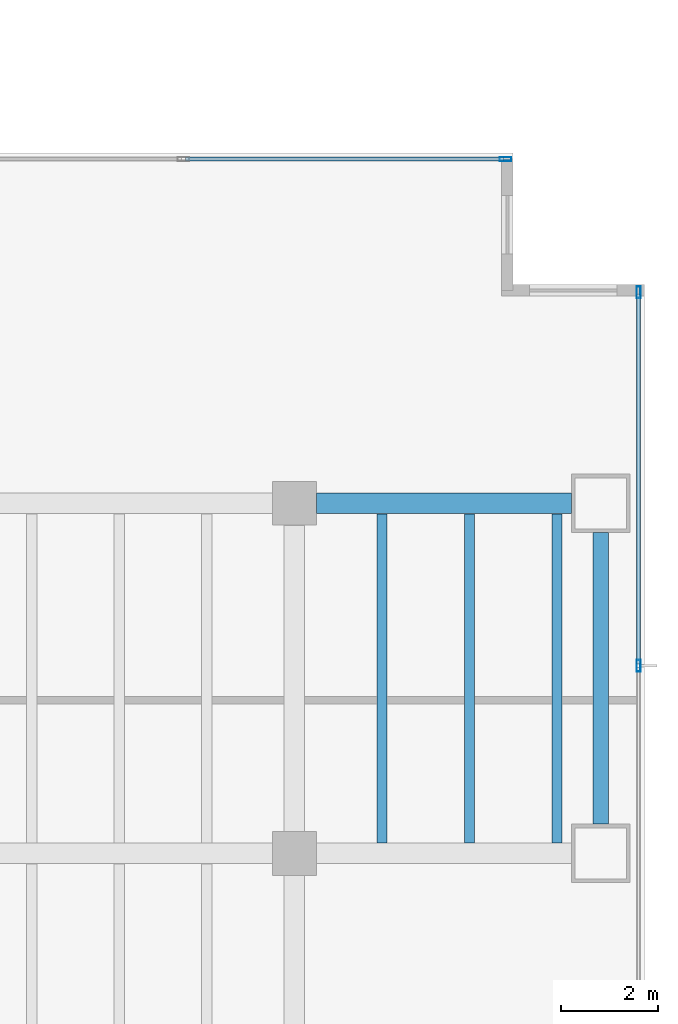
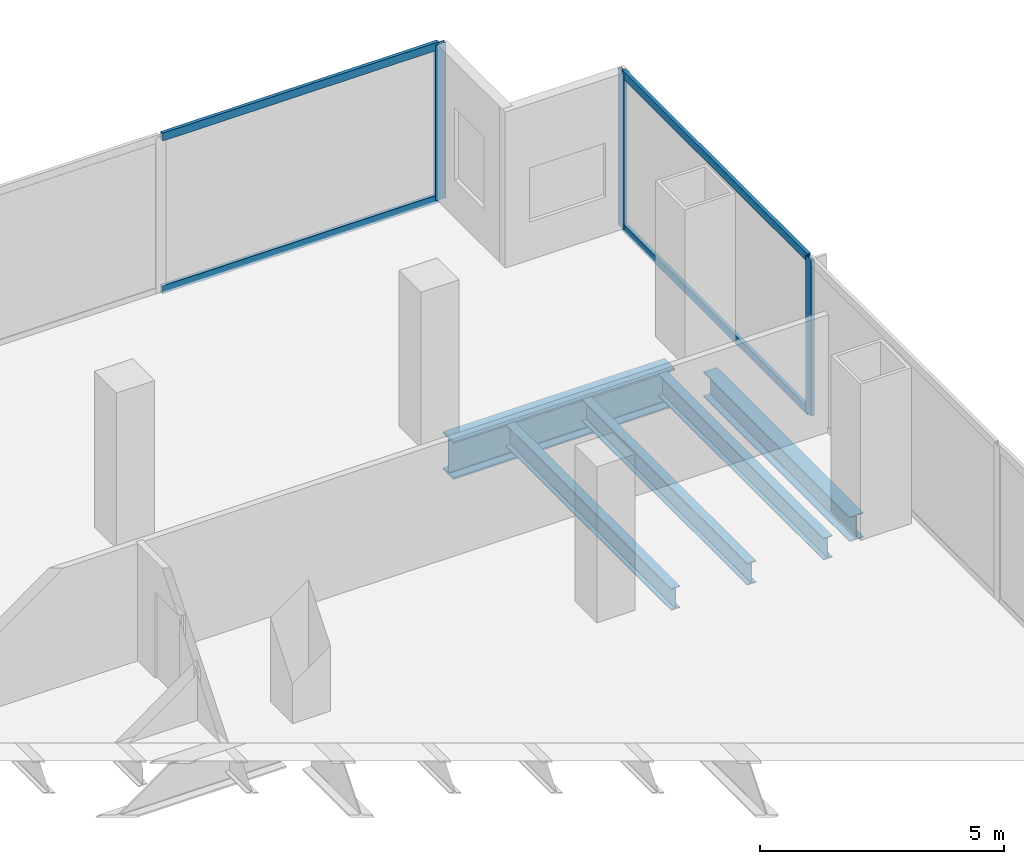
# One storey, part 20 of 31: 7 members, 5 beams, 2 elements without a shape of their own.
"""IFC4 building model written with IfcOpenShell, lengths in metres."""

from ifc_helpers import new_model, si_unit, direction, frame, origin, origin_2d, place, context, subcontext, project, spatial, hollow_rectangle, i_section, extrude, material, material_profile, profile_set, type_object, element, aggregate, save


model = new_model("IFC4")

# Units and contexts
model_context = context("Model", 3, precision=1e-05, world=origin(), true_north=direction((0.0, 1.0)))
body_context = subcontext(model_context, "Body", "Model", "MODEL_VIEW")
ifc_project = project(units=[si_unit("LENGTHUNIT", "METRE"), si_unit("AREAUNIT", "SQUARE_METRE"), si_unit("VOLUMEUNIT", "CUBIC_METRE"), si_unit("PLANEANGLEUNIT", "RADIAN"), si_unit("MASSUNIT", "GRAM", prefix="KILO")], contexts=[model_context])

# Site, building, storey
site_placement = place(None, origin())
site = spatial("IfcSite", under=ifc_project, at=site_placement, CompositionType="ELEMENT")
building_placement = place(site_placement, origin())
building = spatial("IfcBuilding", under=site, at=building_placement, Name="Cobrela Telecom Tower", CompositionType="ELEMENT")
storey_placement = place(building_placement, frame((0.0, 0.0, 9.449951171875)))
storey = spatial("IfcBuildingStorey", under=building, at=storey_placement, Name="L02", CompositionType="ELEMENT", Elevation=9.449951171875)

# Beams
ifc_material_1 = material(Name="Steel ASTM A992 Grade 50", Category="steel")
ifc_material_profile_1 = material_profile(ifc_material_1, i_section(OverallWidth=0.424072265625, OverallDepth=0.947021484375, WebThickness=0.02392578125, FlangeThickness=0.042724609375, FilletRadius=0.02392578125, at=origin_2d()), Name="W36X302")
ifc_profile_set_1 = profile_set([ifc_material_profile_1], Name="Steel ASTM A992 Grade 50")
beam_type_1 = type_object("IfcBeamType", Name="BM-GIRD-01", PredefinedType="USERDEFINED", material=ifc_profile_set_1)
beam_1_placement = place(storey_placement, frame((79.655029296875, 21.60009765625, -0.7734375), z_axis=(1.0, 0.0, 0.0), x_axis=(0.0, 1.0, 0.0)))
element("IfcBeam", 1, at=beam_1_placement, inside=storey, type_object=beam_type_1, Name="L02 Primary Girder X37", ObjectType="GIRDER", PredefinedType="USERDEFINED", context=body_context, shape_type="SweptSolid", body=[
    extrude(i_section(OverallWidth=0.424072265625, OverallDepth=0.947021484375, WebThickness=0.02392578125, FlangeThickness=0.042724609375, FilletRadius=0.02392578125, at=origin_2d()), origin(), (0.0, 0.0, 1.0), 5.239990234375),
])
ifc_material_profile_2 = material_profile(ifc_material_1, i_section(OverallWidth=0.212890625, OverallDepth=0.549072265625, WebThickness=0.0146484375, FlangeThickness=0.023681640625, FilletRadius=0.013916015625, at=origin_2d()), Name="W21X93")
ifc_profile_set_2 = profile_set([ifc_material_profile_2], Name="Steel ASTM A992 Grade 50")
beam_type_2 = type_object("IfcBeamType", Name="BM-JOIST-01", PredefinedType="JOIST", material=ifc_profile_set_2)
for number, where, z_axis, x_axis, name in (
    (2, (81.0, 14.616943359375, -0.574462890625), (0.0, 1.0, 0.0), (-1.0, 0.0, 0.0), "L02 Secondary Composite Floor Beam J136"),
    (3, (82.800048828125, 14.616943359375, -0.574462890625), (0.0, 1.0, 0.0), (-1.0, 0.0, 0.0), "L02 Secondary Composite Floor Beam J137"),
    (4, (84.60009765625, 14.616943359375, -0.574462890625), (0.0, 1.0, 0.0), (-1.0, 0.0, 0.0), "L02 Secondary Composite Floor Beam J138"),
):
    element("IfcBeam", number, at=place(storey_placement, frame(where, z_axis=z_axis, x_axis=x_axis)), inside=storey, type_object=beam_type_2, Name=name, PredefinedType="JOIST", context=body_context, shape_type="SweptSolid", body=[
        extrude(i_section(OverallWidth=0.212890625, OverallDepth=0.549072265625, WebThickness=0.0146484375, FlangeThickness=0.023681640625, FilletRadius=0.013916015625, at=origin_2d()), origin(), (0.0, 0.0, 1.0), 6.76611328125),
    ])
ifc_material_profile_3 = material_profile(ifc_material_1, i_section(OverallWidth=0.327880859375, OverallDepth=0.6220703125, WebThickness=0.015380859375, FlangeThickness=0.0244140625, FilletRadius=0.014892578125, at=origin_2d()), Name="W24X131")
ifc_profile_set_3 = profile_set([ifc_material_profile_3], Name="Steel ASTM A992 Grade 50")
beam_type_3 = type_object("IfcBeamType", Name="BM-SPAND-01", PredefinedType="SPANDREL", material=ifc_profile_set_3)
beam_2_placement = place(storey_placement, frame((85.5, 15.0048828125, -0.61083984375), z_axis=(0.0, 1.0, 0.0), x_axis=(-1.0, 0.0, 0.0)))
element("IfcBeam", 5, at=beam_2_placement, inside=storey, type_object=beam_type_3, Name="L02 Perimeter Spandrel Y100", PredefinedType="SPANDREL", context=body_context, shape_type="SweptSolid", body=[
    extrude(i_section(OverallWidth=0.327880859375, OverallDepth=0.6220703125, WebThickness=0.015380859375, FlangeThickness=0.0244140625, FilletRadius=0.014892578125, at=origin_2d()), origin(), (0.0, 0.0, 1.0), 5.990234375),
])

# Curtain wall, member
ifc_material_2 = material(Name="Anodized Bronze Aluminium 6063-T6", Category="aluminium")
curtain_wall_type = type_object("IfcCurtainWallType", Name="CW-SYS-CONC", PredefinedType="USERDEFINED", material=ifc_material_2)
curtain_wall_1_placement = place(storey_placement, origin())
curtain_wall_1 = element("IfcCurtainWall", 6, at=curtain_wall_1_placement, inside=storey, type_object=curtain_wall_type, Name="L02 Unitised Bronze Curtain Wall 11", ObjectType="UNITISED CURTAIN WALL", PredefinedType="USERDEFINED")
ifc_material_profile_4 = material_profile(ifc_material_2, hollow_rectangle(XDim=0.080078125, YDim=0.239990234375, WallThickness=0.0048828125, at=origin_2d()), Name="ALU 80x240x5")
ifc_profile_set_4 = profile_set([ifc_material_profile_4], Name="Anodized Bronze Aluminium 6063-T6")
member_type_1 = type_object("IfcMemberType", Name="CW-SYS-CONC-MUL", PredefinedType="MULLION", material=ifc_profile_set_4)
member_1_placement = place(storey_placement, frame((83.5400390625, 28.679931640625, 0.0), z_axis=(0.0, 0.0, 1.0), x_axis=(0.0, 1.0, 0.0)))
member_1 = element("IfcMember", 7, at=member_1_placement, type_object=member_type_1, Name="CW-CONC mullion 6", PredefinedType="MULLION", context=body_context, shape_type="SweptSolid", body=[
    extrude(hollow_rectangle(XDim=0.080078125, YDim=0.239990234375, WallThickness=0.0048828125, at=origin_2d()), origin(), (0.0, 0.0, 1.0), 3.900146484375),
])

# Curtain wall, members
curtain_wall_2_placement = place(storey_placement, origin())
curtain_wall_2 = element("IfcCurtainWall", 8, at=curtain_wall_2_placement, inside=storey, type_object=curtain_wall_type, Name="L02 Unitised Bronze Curtain Wall 14", ObjectType="UNITISED CURTAIN WALL", PredefinedType="USERDEFINED")
member_2_placement = place(storey_placement, frame((86.280029296875, 25.93994140625, 0.0), z_axis=(0.0, 0.0, 1.0), x_axis=(1.0, 0.0, 0.0)))
member_2 = element("IfcMember", 9, at=member_2_placement, type_object=member_type_1, Name="CW-CONC mullion 1", PredefinedType="MULLION", context=body_context, shape_type="SweptSolid", body=[
    extrude(hollow_rectangle(XDim=0.080078125, YDim=0.239990234375, WallThickness=0.0048828125, at=origin_2d()), origin(), (0.0, 0.0, 1.0), 3.900146484375),
])
member_3_placement = place(storey_placement, frame((86.280029296875, 18.260009765625, 0.0), z_axis=(0.0, 0.0, 1.0), x_axis=(1.0, 0.0, 0.0)))
member_3 = element("IfcMember", 10, at=member_3_placement, type_object=member_type_1, Name="CW-CONC mullion 2", PredefinedType="MULLION", context=body_context, shape_type="SweptSolid", body=[
    extrude(hollow_rectangle(XDim=0.080078125, YDim=0.239990234375, WallThickness=0.0048828125, at=origin_2d()), origin(), (0.0, 0.0, 1.0), 3.900146484375),
])

# Member
ifc_material_profile_5 = material_profile(ifc_material_2, hollow_rectangle(XDim=0.080078125, YDim=0.199951171875, WallThickness=0.00390625, at=origin_2d()), Name="ALU 80x200x4")
ifc_profile_set_5 = profile_set([ifc_material_profile_5], Name="Anodized Bronze Aluminium 6063-T6")
member_type_2 = type_object("IfcMemberType", Name="CW-SYS-CONC-TRN", PredefinedType="USERDEFINED", material=ifc_profile_set_5)
member_4_placement = place(storey_placement, frame((76.9599609375, 28.679931640625, 0.0400390625), z_axis=(1.0, 0.0, 0.0), x_axis=(0.0, 1.0, 0.0)))
member_4 = element("IfcMember", 11, at=member_4_placement, type_object=member_type_2, Name="CW-CONC transom 5.1", ObjectType="TRANSOM", PredefinedType="USERDEFINED", context=body_context, shape_type="SweptSolid", body=[
    extrude(hollow_rectangle(XDim=0.080078125, YDim=0.199951171875, WallThickness=0.00390625, at=origin_2d()), origin(), (0.0, 0.0, 1.0), 6.5400390625),
])

member_5_placement = place(storey_placement, frame((76.9599609375, 28.679931640625, 3.860107421875), z_axis=(1.0, 0.0, 0.0), x_axis=(0.0, 1.0, 0.0)))
member_5 = element("IfcMember", 12, at=member_5_placement, type_object=member_type_2, Name="CW-CONC transom 5.2", ObjectType="TRANSOM", PredefinedType="USERDEFINED", context=body_context, shape_type="SweptSolid", body=[
    extrude(hollow_rectangle(XDim=0.080078125, YDim=0.199951171875, WallThickness=0.00390625, at=origin_2d()), origin(), (0.0, 0.0, 1.0), 6.5400390625),
])

aggregate(curtain_wall_1, [member_1, member_4, member_5])

member_6_placement = place(storey_placement, frame((86.280029296875, 25.89990234375, 0.0400390625), z_axis=(0.0, -1.0, 0.0), x_axis=(1.0, 0.0, 0.0)))
member_6 = element("IfcMember", 13, at=member_6_placement, type_object=member_type_2, Name="CW-CONC transom 1.1", ObjectType="TRANSOM", PredefinedType="USERDEFINED", context=body_context, shape_type="SweptSolid", body=[
    extrude(hollow_rectangle(XDim=0.080078125, YDim=0.199951171875, WallThickness=0.00390625, at=origin_2d()), origin(), (0.0, 0.0, 1.0), 7.599853515625),
])

member_7_placement = place(storey_placement, frame((86.280029296875, 25.89990234375, 3.860107421875), z_axis=(0.0, -1.0, 0.0), x_axis=(1.0, 0.0, 0.0)))
member_7 = element("IfcMember", 14, at=member_7_placement, type_object=member_type_2, Name="CW-CONC transom 1.2", ObjectType="TRANSOM", PredefinedType="USERDEFINED", context=body_context, shape_type="SweptSolid", body=[
    extrude(hollow_rectangle(XDim=0.080078125, YDim=0.199951171875, WallThickness=0.00390625, at=origin_2d()), origin(), (0.0, 0.0, 1.0), 7.599853515625),
])

aggregate(curtain_wall_2, [member_2, member_3, member_6, member_7])

save(model, "model.ifc")
